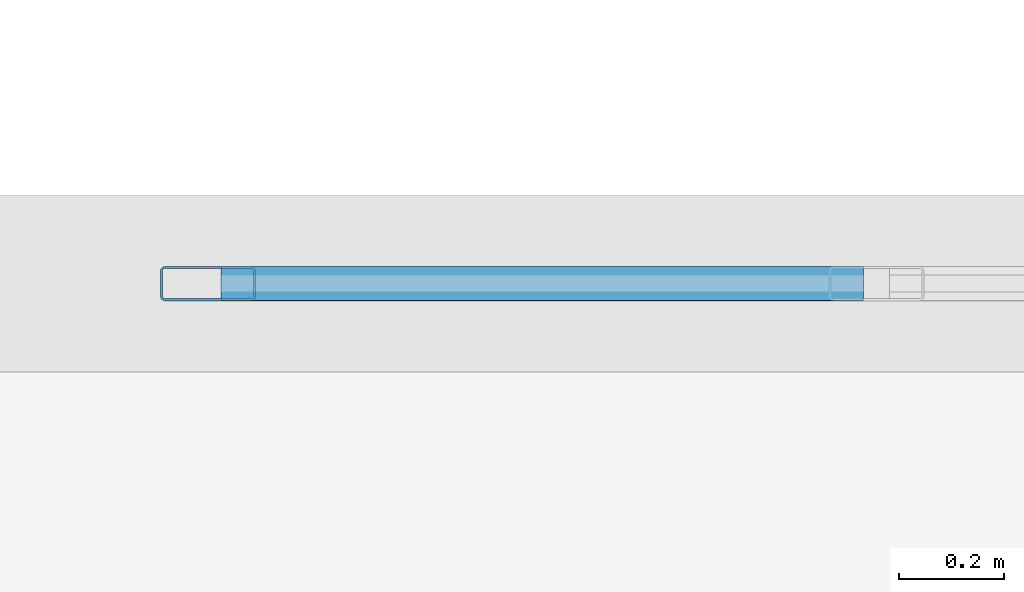
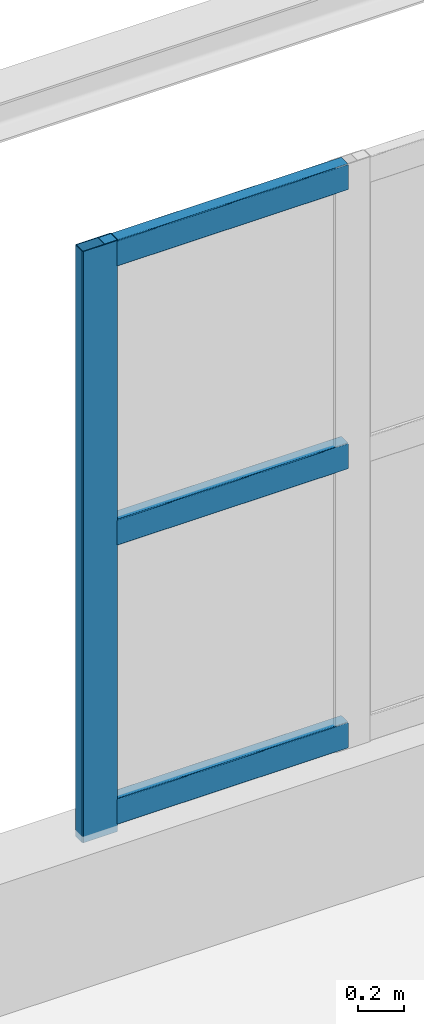
# One storey, part 28 of 97: 4 members, 1 element without a shape of its own.
"""IFC4 building model written with IfcOpenShell, lengths in metres."""

from ifc_helpers import new_model, si_unit, derived_unit, direction, frame, origin, origin_2d, place, context, subcontext, project, spatial, hollow_rectangle, extrude, material, layer, layer_set, material_profile, profile_set, type_object, element, aggregate, save


model = new_model("IFC4")

# Units and contexts
model_context = context("Model", 3, precision=1e-05, world=origin(), true_north=direction((0.0, 1.0)))
body_context = subcontext(model_context, "Body", "Model", "MODEL_VIEW")
ifc_project = project(units=[si_unit("LENGTHUNIT", "METRE"), si_unit("AREAUNIT", "SQUARE_METRE"), si_unit("VOLUMEUNIT", "CUBIC_METRE"), si_unit("PLANEANGLEUNIT", "RADIAN"), si_unit("MASSUNIT", "GRAM", prefix="KILO"), derived_unit("THERMALTRANSMITTANCEUNIT", [(si_unit("POWERUNIT", "WATT"), 1), (si_unit("LENGTHUNIT", "METRE"), -2), (si_unit("THERMODYNAMICTEMPERATUREUNIT", "KELVIN"), -1)])], contexts=[model_context])

# Site, building, storey
site_placement = place(None, origin())
site = spatial("IfcSite", under=ifc_project, at=site_placement, CompositionType="ELEMENT")
building_placement = place(site_placement, origin())
building = spatial("IfcBuilding", under=site, at=building_placement, Name="Almenara Railside Exhibition Hall", CompositionType="ELEMENT")
storey_placement = place(building_placement, frame((0.0, 0.0, 10.800048828125)))
storey = spatial("IfcBuildingStorey", under=building, at=storey_placement, Name="L02", CompositionType="ELEMENT", Elevation=10.800048828125)

# Curtain wall, members
ifc_material_1 = material(Name="Bronze-anodised aluminium and low-E double glazing", Category="aluminium")
ifc_layer = layer(ifc_material_1, 0.179931640625, Name="Bronze-anodised aluminium and low-E double glazing")
ifc_layer_set = layer_set([ifc_layer], Name="Bronze-anodised aluminium and low-E double glazing")
curtain_wall_type = type_object("IfcCurtainWallType", Name="Belvedere Patio Loggia Curtain Wall 2600x3100", PredefinedType="NOTDEFINED", material=ifc_layer_set)
curtain_wall_placement = place(storey_placement, origin())
curtain_wall = element("IfcCurtainWall", 1, at=curtain_wall_placement, inside=storey, type_object=curtain_wall_type, Name="Curtain wall CW-BV2-160", PredefinedType="NOTDEFINED")
ifc_material_2 = material(Name="Bronze-anodised aluminium", Category="aluminium")
ifc_material_profile_1 = material_profile(ifc_material_2, hollow_rectangle(XDim=0.06494140625, YDim=0.179931640625, WallThickness=0.00390625, InnerFilletRadius=0.00390625, OuterFilletRadius=0.008056640625, at=origin_2d()), Name="ALU-MUL 65x180x4")
ifc_profile_set_1 = profile_set([ifc_material_profile_1], Name="Bronze-anodised aluminium")
member_type_1 = type_object("IfcMemberType", Name="Curtain Wall Mullion 65x180x4", PredefinedType="MULLION", material=ifc_profile_set_1)
member_1_placement = place(storey_placement, frame((87.532470703125, 54.0, 0.6650390625), z_axis=(0.0, 0.0, 1.0), x_axis=(0.0, 1.0, 0.0)))
member_1 = element("IfcMember", 2, at=member_1_placement, type_object=member_type_1, Name="CW-BV2-160 mullion 1", PredefinedType="MULLION", context=body_context, shape_type="SweptSolid", body=[
    extrude(hollow_rectangle(XDim=0.06494140625, YDim=0.179931640625, WallThickness=0.00390625, InnerFilletRadius=0.00390625, OuterFilletRadius=0.008056640625, at=origin_2d()), origin(), (0.0, 0.0, 1.0), 3.135009765625),
])
ifc_material_profile_2 = material_profile(ifc_material_2, hollow_rectangle(XDim=0.06494140625, YDim=0.139892578125, WallThickness=0.00341796875, InnerFilletRadius=0.00341796875, OuterFilletRadius=0.007080078125, at=origin_2d()), Name="ALU-TRN 65x140x3.5")
ifc_profile_set_2 = profile_set([ifc_material_profile_2], Name="Bronze-anodised aluminium")
member_type_2 = type_object("IfcMemberType", Name="Curtain Wall Transom 65x140x3.5", PredefinedType="USERDEFINED", material=ifc_profile_set_2)
member_2_placement = place(storey_placement, frame((87.556884765625, 54.0, 0.77001953125), z_axis=(1.0, 0.0, 0.0), x_axis=(0.0, 1.0, 0.0)))
member_2 = element("IfcMember", 3, at=member_2_placement, type_object=member_type_2, Name="CW-BV2-160 transom 1.1", ObjectType="TRANSOM", PredefinedType="USERDEFINED", context=body_context, shape_type="SweptSolid", body=[
    extrude(hollow_rectangle(XDim=0.06494140625, YDim=0.139892578125, WallThickness=0.00341796875, InnerFilletRadius=0.00341796875, OuterFilletRadius=0.007080078125, at=origin_2d()), origin(), (0.0, 0.0, 1.0), 1.218505859375),
])
member_3_placement = place(storey_placement, frame((87.556884765625, 54.0, 2.25), z_axis=(1.0, 0.0, 0.0), x_axis=(0.0, 1.0, 0.0)))
member_3 = element("IfcMember", 4, at=member_3_placement, type_object=member_type_2, Name="CW-BV2-160 transom 1.2", ObjectType="TRANSOM", PredefinedType="USERDEFINED", context=body_context, shape_type="SweptSolid", body=[
    extrude(hollow_rectangle(XDim=0.06494140625, YDim=0.139892578125, WallThickness=0.00341796875, InnerFilletRadius=0.00341796875, OuterFilletRadius=0.007080078125, at=origin_2d()), origin(), (0.0, 0.0, 1.0), 1.218505859375),
])
member_4_placement = place(storey_placement, frame((87.556884765625, 54.0, 3.72998046875), z_axis=(1.0, 0.0, 0.0), x_axis=(0.0, 1.0, 0.0)))
member_4 = element("IfcMember", 5, at=member_4_placement, type_object=member_type_2, Name="CW-BV2-160 transom 1.3", ObjectType="TRANSOM", PredefinedType="USERDEFINED", context=body_context, shape_type="SweptSolid", body=[
    extrude(hollow_rectangle(XDim=0.06494140625, YDim=0.139892578125, WallThickness=0.00341796875, InnerFilletRadius=0.00341796875, OuterFilletRadius=0.007080078125, at=origin_2d()), origin(), (0.0, 0.0, 1.0), 1.218505859375),
])
aggregate(curtain_wall, [member_1, member_2, member_3, member_4])

save(model, "model.ifc")
